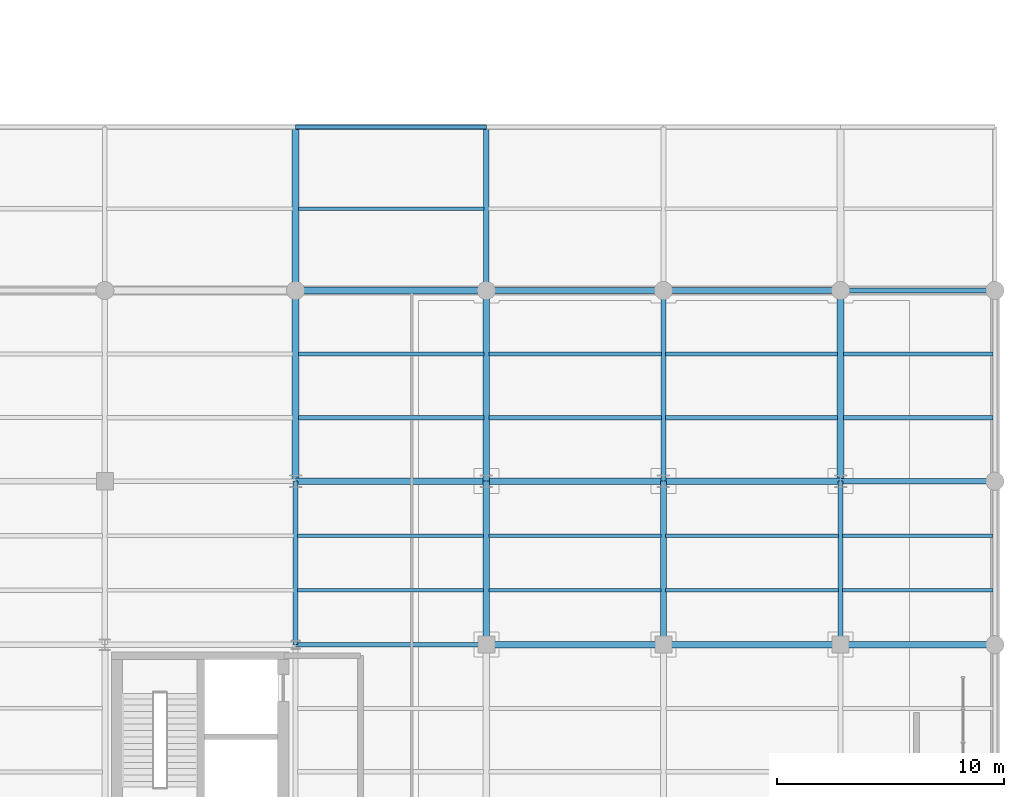
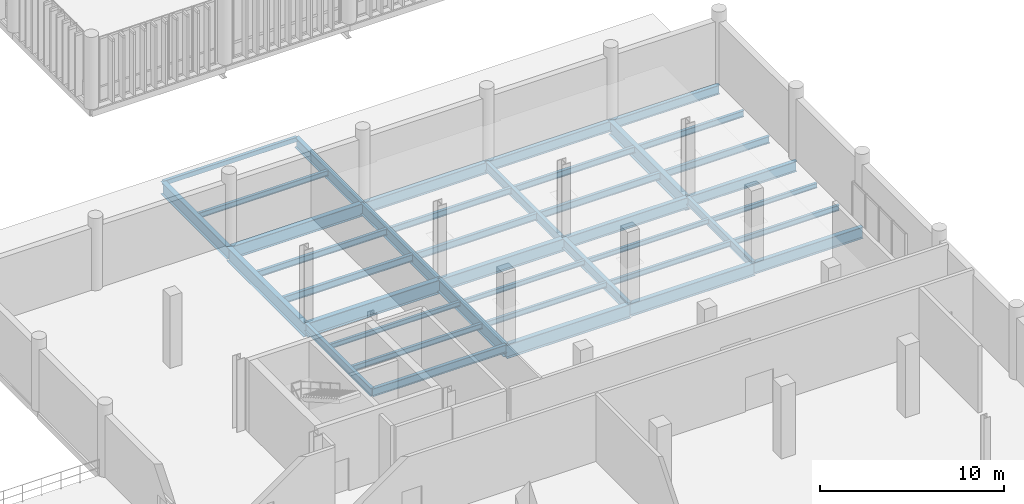
# One storey, part 62 of 109: 40 beams.
"""IFC4 building model written with IfcOpenShell, lengths in metres."""

from ifc_helpers import new_model, si_unit, direction, frame, origin_with_axes, origin_2d_with_axis, place, context, subcontext, project, spatial, hollow_rectangle, i_section, extrude, material, material_profile, profile_set, type_object, element, save


model = new_model("IFC4")

# Units and contexts
model_context = context("Model", 3, precision=1e-05, world=origin_with_axes(), true_north=direction((0.0, 1.0)))
body_context = subcontext(model_context, "Body", "Model", "MODEL_VIEW")
ifc_project = project(units=[si_unit("LENGTHUNIT", "METRE"), si_unit("AREAUNIT", "SQUARE_METRE"), si_unit("VOLUMEUNIT", "CUBIC_METRE"), si_unit("PLANEANGLEUNIT", "RADIAN"), si_unit("MASSUNIT", "GRAM", prefix="KILO"), si_unit("THERMODYNAMICTEMPERATUREUNIT", "KELVIN")], contexts=[model_context])

# Site, building, storey
site_placement = place(None, origin_with_axes())
site = spatial("IfcSite", under=ifc_project, at=site_placement, CompositionType="ELEMENT")
building_placement = place(site_placement, origin_with_axes())
building = spatial("IfcBuilding", under=site, at=building_placement, Name="Montbau Bow Law Courts", CompositionType="ELEMENT")
storey_placement = place(building_placement, frame((0.0, 0.0, 10.8), z_axis=(0.0, 0.0, 1.0), x_axis=(1.0, 0.0, 0.0)))
storey = spatial("IfcBuildingStorey", under=building, at=storey_placement, Name="L02", CompositionType="ELEMENT", Elevation=10.8)

# Beams
ifc_material_1 = material(Name="Steel CSA G40.21 Grade 350W (350 MPa)", Category="steel")
ifc_material_profile_1 = material_profile(ifc_material_1, i_section(OverallWidth=0.306, OverallDepth=0.919, WebThickness=0.0173, FlangeThickness=0.0279, at=origin_2d_with_axis()), Name="W920X253", Category="Main", Priority=0)
ifc_profile_set_1 = profile_set([ifc_material_profile_1], Name="Steel CSA G40.21 Grade 350W (350 MPa)")
beam_type_1 = type_object("IfcBeamType", Name="B-FLR-01", PredefinedType="BEAM", material=ifc_profile_set_1)
beam_1_placement = place(None, frame((147.0, 39.0, 10.12), z_axis=(1.0, 0.0, 0.0), x_axis=(0.0, 1.0, 0.0)))
element("IfcBeam", 1, at=beam_1_placement, inside=storey, type_object=beam_type_1, Name="BM-L02-S1557:bm2_1560", PredefinedType="BEAM", context=body_context, shape_type="SweptSolid", body=[
    extrude(i_section(OverallWidth=0.306, OverallDepth=0.919, WebThickness=0.0173, FlangeThickness=0.0279, at=origin_2d_with_axis()), origin_with_axes(), (0.0, 0.0, 1.0), 7.8),
])
for number, where, z_axis, x_axis, name in (
    (2, (138.6, 46.2, 10.12), (1.0, 0.0, 0.0), (0.0, 1.0, 0.0), "BM-L02-S1562:bm2_1565"),
    (3, (138.6, 46.2, 10.091), (0.0, 1.0, 0.0), (-1.0, 0.0, 0.0), "BM-L02-S1595:bm2_1598"),
    (4, (162.6, 46.2, 10.091), (0.0, 1.0, 0.0), (-1.0, 0.0, 0.0), "BM-L02-S1616:bm2_1619"),
):
    element("IfcBeam", number, at=place(None, frame(where, z_axis=z_axis, x_axis=x_axis)), inside=storey, type_object=beam_type_1, Name=name, PredefinedType="BEAM", context=body_context, shape_type="SweptSolid", body=[
        extrude(i_section(OverallWidth=0.306, OverallDepth=0.919, WebThickness=0.0173, FlangeThickness=0.0279, at=origin_2d_with_axis()), origin_with_axes(), (0.0, 0.0, 1.0), 8.4),
    ])
ifc_material_profile_2 = material_profile(ifc_material_1, i_section(OverallWidth=0.293, OverallDepth=0.846, WebThickness=0.0154, FlangeThickness=0.0244, at=origin_2d_with_axis()), Name="W840X210", Category="Main", Priority=0)
ifc_profile_set_2 = profile_set([ifc_material_profile_2], Name="Steel CSA G40.21 Grade 350W (350 MPa)")
beam_type_2 = type_object("IfcBeamType", Name="B-FLR-02", PredefinedType="BEAM", material=ifc_profile_set_2)
for number, where, z_axis, x_axis, name in (
    (5, (154.8, 39.0, 10.157), (1.0, 0.0, 0.0), (0.0, 1.0, 0.0), "BM-L02-S1558:bm2_1561"),
    (6, (147.0, 46.2, 10.157), (1.0, 0.0, 0.0), (0.0, 1.0, 0.0), "BM-L02-S1563:bm2_1566"),
):
    element("IfcBeam", number, at=place(None, frame(where, z_axis=z_axis, x_axis=x_axis)), inside=storey, type_object=beam_type_2, Name=name, PredefinedType="BEAM", context=body_context, shape_type="SweptSolid", body=[
        extrude(i_section(OverallWidth=0.293, OverallDepth=0.846, WebThickness=0.0154, FlangeThickness=0.0244, at=origin_2d_with_axis()), origin_with_axes(), (0.0, 0.0, 1.0), 7.8),
    ])
beam_2_placement = place(None, frame((138.6, 54.6, 10.127), z_axis=(1.0, 0.0, 0.0), x_axis=(0.0, 1.0, 0.0)))
element("IfcBeam", 7, at=beam_2_placement, inside=storey, type_object=beam_type_2, Name="BM-L02-S1568:bm2_1571", PredefinedType="BEAM", context=body_context, shape_type="SweptSolid", body=[
    extrude(i_section(OverallWidth=0.293, OverallDepth=0.846, WebThickness=0.0154, FlangeThickness=0.0244, at=origin_2d_with_axis()), origin_with_axes(), (0.0, 0.0, 1.0), 8.4),
])
for number, where, z_axis, x_axis, name in (
    (8, (138.6, 54.6, 10.127), (0.0, 1.0, 0.0), (-1.0, 0.0, 0.0), "BM-L02-S1596:bm2_1599"),
    (9, (147.0, 39.0, 10.157), (0.0, 1.0, 0.0), (-1.0, 0.0, 0.0), "BM-L02-S1601:bm2_1604"),
):
    element("IfcBeam", number, at=place(None, frame(where, z_axis=z_axis, x_axis=x_axis)), inside=storey, type_object=beam_type_2, Name=name, PredefinedType="BEAM", context=body_context, shape_type="SweptSolid", body=[
        extrude(i_section(OverallWidth=0.293, OverallDepth=0.846, WebThickness=0.0154, FlangeThickness=0.0244, at=origin_2d_with_axis()), origin_with_axes(), (0.0, 0.0, 1.0), 7.2),
    ])
ifc_material_profile_3 = material_profile(ifc_material_1, i_section(OverallWidth=0.267, OverallDepth=0.766, WebThickness=0.0149, FlangeThickness=0.0236, at=origin_2d_with_axis()), Name="W760X185", Category="Main", Priority=0)
ifc_profile_set_3 = profile_set([ifc_material_profile_3], Name="Steel CSA G40.21 Grade 350W (350 MPa)")
beam_type_3 = type_object("IfcBeamType", Name="B-FLR-03", PredefinedType="BEAM", material=ifc_profile_set_3)
beam_3_placement = place(None, frame((162.6, 39.0, 10.197), z_axis=(1.0, 0.0, 0.0), x_axis=(0.0, 1.0, 0.0)))
element("IfcBeam", 10, at=beam_3_placement, inside=storey, type_object=beam_type_3, Name="BM-L02-S1559:bm2_1562", PredefinedType="BEAM", context=body_context, shape_type="SweptSolid", body=[
    extrude(i_section(OverallWidth=0.267, OverallDepth=0.766, WebThickness=0.0149, FlangeThickness=0.0236, at=origin_2d_with_axis()), origin_with_axes(), (0.0, 0.0, 1.0), 6.8),
])
for number, where, z_axis, x_axis, name in (
    (11, (154.8, 46.2, 10.197), (1.0, 0.0, 0.0), (0.0, 1.0, 0.0), "BM-L02-S1564:bm2_1567"),
    (12, (147.0, 54.6, 10.167), (1.0, 0.0, 0.0), (0.0, 1.0, 0.0), "BM-L02-S1569:bm2_1572"),
):
    element("IfcBeam", number, at=place(None, frame(where, z_axis=z_axis, x_axis=x_axis)), inside=storey, type_object=beam_type_3, Name=name, PredefinedType="BEAM", context=body_context, shape_type="SweptSolid", body=[
        extrude(i_section(OverallWidth=0.267, OverallDepth=0.766, WebThickness=0.0149, FlangeThickness=0.0236, at=origin_2d_with_axis()), origin_with_axes(), (0.0, 0.0, 1.0), 7.8),
    ])
beam_4_placement = place(None, frame((147.0, 46.2, 10.167), z_axis=(0.0, 1.0, 0.0), x_axis=(-1.0, 0.0, 0.0)))
element("IfcBeam", 13, at=beam_4_placement, inside=storey, type_object=beam_type_3, Name="BM-L02-S1602:bm2_1605", PredefinedType="BEAM", context=body_context, shape_type="SweptSolid", body=[
    extrude(i_section(OverallWidth=0.267, OverallDepth=0.766, WebThickness=0.0149, FlangeThickness=0.0236, at=origin_2d_with_axis()), origin_with_axes(), (0.0, 0.0, 1.0), 8.4),
])
ifc_material_profile_4 = material_profile(ifc_material_1, i_section(OverallWidth=0.254, OverallDepth=0.688, WebThickness=0.0131, FlangeThickness=0.0211, at=origin_2d_with_axis()), Name="W690X152", Category="Main", Priority=0)
ifc_profile_set_4 = profile_set([ifc_material_profile_4], Name="Steel CSA G40.21 Grade 350W (350 MPa)")
beam_type_4 = type_object("IfcBeamType", Name="B-FLR-04", PredefinedType="BEAM", material=ifc_profile_set_4)
beam_5_placement = place(None, frame((162.6, 46.2, 10.236), z_axis=(1.0, 0.0, 0.0), x_axis=(0.0, 1.0, 0.0)))
element("IfcBeam", 14, at=beam_5_placement, inside=storey, type_object=beam_type_4, Name="BM-L02-S1565:bm2_1568", PredefinedType="BEAM", context=body_context, shape_type="SweptSolid", body=[
    extrude(i_section(OverallWidth=0.254, OverallDepth=0.688, WebThickness=0.0131, FlangeThickness=0.0211, at=origin_2d_with_axis()), origin_with_axes(), (0.0, 0.0, 1.0), 6.8),
])
beam_6_placement = place(None, frame((154.8, 54.6, 10.206), z_axis=(1.0, 0.0, 0.0), x_axis=(0.0, 1.0, 0.0)))
element("IfcBeam", 15, at=beam_6_placement, inside=storey, type_object=beam_type_4, Name="BM-L02-S1570:bm2_1573", PredefinedType="BEAM", context=body_context, shape_type="SweptSolid", body=[
    extrude(i_section(OverallWidth=0.254, OverallDepth=0.688, WebThickness=0.0131, FlangeThickness=0.0211, at=origin_2d_with_axis()), origin_with_axes(), (0.0, 0.0, 1.0), 7.8),
])
for number, where, z_axis, x_axis, name in (
    (16, (147.0, 54.6, 10.206), (0.0, 1.0, 0.0), (-1.0, 0.0, 0.0), "BM-L02-S1603:bm2_1606"),
    (17, (154.8, 39.0, 10.236), (0.0, 1.0, 0.0), (-1.0, 0.0, 0.0), "BM-L02-S1608:bm2_1611"),
):
    element("IfcBeam", number, at=place(None, frame(where, z_axis=z_axis, x_axis=x_axis)), inside=storey, type_object=beam_type_4, Name=name, PredefinedType="BEAM", context=body_context, shape_type="SweptSolid", body=[
        extrude(i_section(OverallWidth=0.254, OverallDepth=0.688, WebThickness=0.0131, FlangeThickness=0.0211, at=origin_2d_with_axis()), origin_with_axes(), (0.0, 0.0, 1.0), 7.2),
    ])
ifc_material_profile_5 = material_profile(ifc_material_1, i_section(OverallWidth=0.229, OverallDepth=0.612, WebThickness=0.0119, FlangeThickness=0.0196, at=origin_2d_with_axis()), Name="W610X125", Category="Main", Priority=0)
ifc_profile_set_5 = profile_set([ifc_material_profile_5], Name="Steel CSA G40.21 Grade 350W (350 MPa)")
beam_type_5 = type_object("IfcBeamType", Name="B-FLR-05", PredefinedType="BEAM", material=ifc_profile_set_5)
beam_7_placement = place(None, frame((162.6, 54.6, 10.244), z_axis=(1.0, 0.0, 0.0), x_axis=(0.0, 1.0, 0.0)))
element("IfcBeam", 18, at=beam_7_placement, inside=storey, type_object=beam_type_5, Name="BM-L02-S1571:bm2_1574", PredefinedType="BEAM", context=body_context, shape_type="SweptSolid", body=[
    extrude(i_section(OverallWidth=0.229, OverallDepth=0.612, WebThickness=0.0119, FlangeThickness=0.0196, at=origin_2d_with_axis()), origin_with_axes(), (0.0, 0.0, 1.0), 6.8),
])
beam_8_placement = place(None, frame((154.8, 46.2, 10.244), z_axis=(0.0, 1.0, 0.0), x_axis=(-1.0, 0.0, 0.0)))
element("IfcBeam", 19, at=beam_8_placement, inside=storey, type_object=beam_type_5, Name="BM-L02-S1609:bm2_1612", PredefinedType="BEAM", context=body_context, shape_type="SweptSolid", body=[
    extrude(i_section(OverallWidth=0.229, OverallDepth=0.612, WebThickness=0.0119, FlangeThickness=0.0196, at=origin_2d_with_axis()), origin_with_axes(), (0.0, 0.0, 1.0), 8.4),
])
ifc_material_profile_6 = material_profile(ifc_material_1, i_section(OverallWidth=0.21, OverallDepth=0.537, WebThickness=0.0109, FlangeThickness=0.0174, at=origin_2d_with_axis()), Name="W530X101", Category="Main", Priority=0)
ifc_profile_set_6 = profile_set([ifc_material_profile_6], Name="Steel CSA G40.21 Grade 350W (350 MPa)")
beam_type_6 = type_object("IfcBeamType", Name="B-FLR-06", PredefinedType="BEAM", material=ifc_profile_set_6)
beam_9_placement = place(None, frame((138.6, 39.0, 10.312), z_axis=(1.0, 0.0, 0.0), x_axis=(0.0, 1.0, 0.0)))
element("IfcBeam", 20, at=beam_9_placement, inside=storey, type_object=beam_type_6, Name="BM-L02-S1556:bm2_1559", PredefinedType="BEAM", context=body_context, shape_type="SweptSolid", body=[
    extrude(i_section(OverallWidth=0.21, OverallDepth=0.537, WebThickness=0.0109, FlangeThickness=0.0174, at=origin_2d_with_axis()), origin_with_axes(), (0.0, 0.0, 1.0), 8.4),
])
for number, where, z_axis, x_axis, name in (
    (21, (138.6, 39.0, 10.312), (0.0, 1.0, 0.0), (-1.0, 0.0, 0.0), "BM-L02-S1594:bm2_1597"),
    (22, (162.6, 39.0, 10.312), (0.0, 1.0, 0.0), (-1.0, 0.0, 0.0), "BM-L02-S1615:bm2_1618"),
):
    element("IfcBeam", number, at=place(None, frame(where, z_axis=z_axis, x_axis=x_axis)), inside=storey, type_object=beam_type_6, Name=name, PredefinedType="BEAM", context=body_context, shape_type="SweptSolid", body=[
        extrude(i_section(OverallWidth=0.21, OverallDepth=0.537, WebThickness=0.0109, FlangeThickness=0.0174, at=origin_2d_with_axis()), origin_with_axes(), (0.0, 0.0, 1.0), 7.2),
    ])
ifc_material_profile_7 = material_profile(ifc_material_1, i_section(OverallWidth=0.191, OverallDepth=0.46, WebThickness=0.0099, FlangeThickness=0.016, at=origin_2d_with_axis()), Name="W460X82", Category="Main", Priority=0)
ifc_profile_set_7 = profile_set([ifc_material_profile_7], Name="Steel CSA G40.21 Grade 350W (350 MPa)")
beam_type_7 = type_object("IfcBeamType", Name="B-JST-01", PredefinedType="JOIST", material=ifc_profile_set_7)
beam_10_placement = place(None, frame((138.729, 49.0, 10.32), z_axis=(1.0, 0.0, 0.0), x_axis=(0.0, 1.0, 0.0)))
element("IfcBeam", 23, at=beam_10_placement, inside=storey, type_object=beam_type_7, Name="JST-L02-S0908:jst2_0908", PredefinedType="JOIST", context=body_context, shape_type="SweptSolid", body=[
    extrude(i_section(OverallWidth=0.191, OverallDepth=0.46, WebThickness=0.0099, FlangeThickness=0.016, at=origin_2d_with_axis()), origin_with_axes(), (0.0, 0.0, 1.0), 8.162),
])
beam_11_placement = place(None, frame((147.109, 49.0, 10.32), z_axis=(1.0, 0.0, 0.0), x_axis=(0.0, 1.0, 0.0)))
element("IfcBeam", 24, at=beam_11_placement, inside=storey, type_object=beam_type_7, Name="JST-L02-S0920:jst2_0920", PredefinedType="JOIST", context=body_context, shape_type="SweptSolid", body=[
    extrude(i_section(OverallWidth=0.191, OverallDepth=0.46, WebThickness=0.0099, FlangeThickness=0.016, at=origin_2d_with_axis()), origin_with_axes(), (0.0, 0.0, 1.0), 7.601),
])
beam_12_placement = place(None, frame((154.891, 49.0, 10.32), z_axis=(1.0, 0.0, 0.0), x_axis=(0.0, 1.0, 0.0)))
element("IfcBeam", 25, at=beam_12_placement, inside=storey, type_object=beam_type_7, Name="JST-L02-S0932:jst2_0932", PredefinedType="JOIST", context=body_context, shape_type="SweptSolid", body=[
    extrude(i_section(OverallWidth=0.191, OverallDepth=0.46, WebThickness=0.0099, FlangeThickness=0.016, at=origin_2d_with_axis()), origin_with_axes(), (0.0, 0.0, 1.0), 7.58),
])
beam_13_placement = place(None, frame((162.729, 49.0, 10.32), z_axis=(1.0, 0.0, 0.0), x_axis=(0.0, 1.0, 0.0)))
element("IfcBeam", 26, at=beam_13_placement, inside=storey, type_object=beam_type_7, Name="JST-L02-S0944:jst2_0944", PredefinedType="JOIST", context=body_context, shape_type="SweptSolid", body=[
    extrude(i_section(OverallWidth=0.191, OverallDepth=0.46, WebThickness=0.0099, FlangeThickness=0.016, at=origin_2d_with_axis()), origin_with_axes(), (0.0, 0.0, 1.0), 6.591),
])
ifc_material_profile_8 = material_profile(ifc_material_1, i_section(OverallWidth=0.179, OverallDepth=0.41, WebThickness=0.0088, FlangeThickness=0.0144, at=origin_2d_with_axis()), Name="W410X67", Category="Main", Priority=0)
ifc_profile_set_8 = profile_set([ifc_material_profile_8], Name="Steel CSA G40.21 Grade 350W (350 MPa)")
beam_type_8 = type_object("IfcBeamType", Name="B-JST-02", PredefinedType="JOIST", material=ifc_profile_set_8)
beam_14_placement = place(None, frame((138.729, 51.8, 10.345), z_axis=(1.0, 0.0, 0.0), x_axis=(0.0, 1.0, 0.0)))
element("IfcBeam", 27, at=beam_14_placement, inside=storey, type_object=beam_type_8, Name="JST-L02-S0909:jst2_0909", PredefinedType="JOIST", context=body_context, shape_type="SweptSolid", body=[
    extrude(i_section(OverallWidth=0.179, OverallDepth=0.41, WebThickness=0.0088, FlangeThickness=0.0144, at=origin_2d_with_axis()), origin_with_axes(), (0.0, 0.0, 1.0), 8.162),
])
beam_15_placement = place(None, frame((147.109, 51.8, 10.345), z_axis=(1.0, 0.0, 0.0), x_axis=(0.0, 1.0, 0.0)))
element("IfcBeam", 28, at=beam_15_placement, inside=storey, type_object=beam_type_8, Name="JST-L02-S0921:jst2_0921", PredefinedType="JOIST", context=body_context, shape_type="SweptSolid", body=[
    extrude(i_section(OverallWidth=0.179, OverallDepth=0.41, WebThickness=0.0088, FlangeThickness=0.0144, at=origin_2d_with_axis()), origin_with_axes(), (0.0, 0.0, 1.0), 7.601),
])
beam_16_placement = place(None, frame((154.891, 51.8, 10.345), z_axis=(1.0, 0.0, 0.0), x_axis=(0.0, 1.0, 0.0)))
element("IfcBeam", 29, at=beam_16_placement, inside=storey, type_object=beam_type_8, Name="JST-L02-S0933:jst2_0933", PredefinedType="JOIST", context=body_context, shape_type="SweptSolid", body=[
    extrude(i_section(OverallWidth=0.179, OverallDepth=0.41, WebThickness=0.0088, FlangeThickness=0.0144, at=origin_2d_with_axis()), origin_with_axes(), (0.0, 0.0, 1.0), 7.58),
])
beam_17_placement = place(None, frame((162.729, 51.8, 10.345), z_axis=(1.0, 0.0, 0.0), x_axis=(0.0, 1.0, 0.0)))
element("IfcBeam", 30, at=beam_17_placement, inside=storey, type_object=beam_type_8, Name="JST-L02-S0945:jst2_0945", PredefinedType="JOIST", context=body_context, shape_type="SweptSolid", body=[
    extrude(i_section(OverallWidth=0.179, OverallDepth=0.41, WebThickness=0.0088, FlangeThickness=0.0144, at=origin_2d_with_axis()), origin_with_axes(), (0.0, 0.0, 1.0), 6.591),
])
ifc_material_profile_9 = material_profile(ifc_material_1, i_section(OverallWidth=0.172, OverallDepth=0.358, WebThickness=0.0079, FlangeThickness=0.0131, at=origin_2d_with_axis()), Name="W360X57", Category="Main", Priority=0)
ifc_profile_set_9 = profile_set([ifc_material_profile_9], Name="Steel CSA G40.21 Grade 350W (350 MPa)")
beam_type_9 = type_object("IfcBeamType", Name="B-JST-03", PredefinedType="JOIST", material=ifc_profile_set_9)
beam_18_placement = place(None, frame((138.681, 41.4, 10.401), z_axis=(1.0, 0.0, 0.0), x_axis=(0.0, 1.0, 0.0)))
element("IfcBeam", 31, at=beam_18_placement, inside=storey, type_object=beam_type_9, Name="JST-L02-S0906:jst2_0906", PredefinedType="JOIST", context=body_context, shape_type="SweptSolid", body=[
    extrude(i_section(OverallWidth=0.172, OverallDepth=0.358, WebThickness=0.0079, FlangeThickness=0.0131, at=origin_2d_with_axis()), origin_with_axes(), (0.0, 0.0, 1.0), 8.196),
])
beam_19_placement = place(None, frame((138.722, 58.2, 10.371), z_axis=(1.0, 0.0, 0.0), x_axis=(0.0, 1.0, 0.0)))
element("IfcBeam", 32, at=beam_19_placement, inside=storey, type_object=beam_type_9, Name="JST-L02-S0910:jst2_0910", PredefinedType="JOIST", context=body_context, shape_type="SweptSolid", body=[
    extrude(i_section(OverallWidth=0.172, OverallDepth=0.358, WebThickness=0.0079, FlangeThickness=0.0131, at=origin_2d_with_axis()), origin_with_axes(), (0.0, 0.0, 1.0), 8.175),
])
beam_20_placement = place(None, frame((147.123, 41.4, 10.401), z_axis=(1.0, 0.0, 0.0), x_axis=(0.0, 1.0, 0.0)))
element("IfcBeam", 33, at=beam_20_placement, inside=storey, type_object=beam_type_9, Name="JST-L02-S0918:jst2_0918", PredefinedType="JOIST", context=body_context, shape_type="SweptSolid", body=[
    extrude(i_section(OverallWidth=0.172, OverallDepth=0.358, WebThickness=0.0079, FlangeThickness=0.0131, at=origin_2d_with_axis()), origin_with_axes(), (0.0, 0.0, 1.0), 7.574),
])
beam_21_placement = place(None, frame((154.903, 41.4, 10.401), z_axis=(1.0, 0.0, 0.0), x_axis=(0.0, 1.0, 0.0)))
element("IfcBeam", 34, at=beam_21_placement, inside=storey, type_object=beam_type_9, Name="JST-L02-S0930:jst2_0930", PredefinedType="JOIST", context=body_context, shape_type="SweptSolid", body=[
    extrude(i_section(OverallWidth=0.172, OverallDepth=0.358, WebThickness=0.0079, FlangeThickness=0.0131, at=origin_2d_with_axis()), origin_with_axes(), (0.0, 0.0, 1.0), 7.616),
])
beam_22_placement = place(None, frame((162.681, 41.4, 10.401), z_axis=(1.0, 0.0, 0.0), x_axis=(0.0, 1.0, 0.0)))
element("IfcBeam", 35, at=beam_22_placement, inside=storey, type_object=beam_type_9, Name="JST-L02-S0942:jst2_0942", PredefinedType="JOIST", context=body_context, shape_type="SweptSolid", body=[
    extrude(i_section(OverallWidth=0.172, OverallDepth=0.358, WebThickness=0.0079, FlangeThickness=0.0131, at=origin_2d_with_axis()), origin_with_axes(), (0.0, 0.0, 1.0), 6.639),
])
ifc_material_profile_10 = material_profile(ifc_material_1, i_section(OverallWidth=0.166, OverallDepth=0.313, WebThickness=0.0066, FlangeThickness=0.0112, at=origin_2d_with_axis()), Name="W310X45", Category="Main", Priority=0)
ifc_profile_set_10 = profile_set([ifc_material_profile_10], Name="Steel CSA G40.21 Grade 350W (350 MPa)")
beam_type_10 = type_object("IfcBeamType", Name="B-JST-04", PredefinedType="JOIST", material=ifc_profile_set_10)
beam_23_placement = place(None, frame((138.681, 43.8, 10.424), z_axis=(1.0, 0.0, 0.0), x_axis=(0.0, 1.0, 0.0)))
element("IfcBeam", 36, at=beam_23_placement, inside=storey, type_object=beam_type_10, Name="JST-L02-S0907:jst2_0907", PredefinedType="JOIST", context=body_context, shape_type="SweptSolid", body=[
    extrude(i_section(OverallWidth=0.166, OverallDepth=0.313, WebThickness=0.0066, FlangeThickness=0.0112, at=origin_2d_with_axis()), origin_with_axes(), (0.0, 0.0, 1.0), 8.196),
])
beam_24_placement = place(None, frame((147.123, 43.8, 10.424), z_axis=(1.0, 0.0, 0.0), x_axis=(0.0, 1.0, 0.0)))
element("IfcBeam", 37, at=beam_24_placement, inside=storey, type_object=beam_type_10, Name="JST-L02-S0919:jst2_0919", PredefinedType="JOIST", context=body_context, shape_type="SweptSolid", body=[
    extrude(i_section(OverallWidth=0.166, OverallDepth=0.313, WebThickness=0.0066, FlangeThickness=0.0112, at=origin_2d_with_axis()), origin_with_axes(), (0.0, 0.0, 1.0), 7.574),
])
beam_25_placement = place(None, frame((154.903, 43.8, 10.424), z_axis=(1.0, 0.0, 0.0), x_axis=(0.0, 1.0, 0.0)))
element("IfcBeam", 38, at=beam_25_placement, inside=storey, type_object=beam_type_10, Name="JST-L02-S0931:jst2_0931", PredefinedType="JOIST", context=body_context, shape_type="SweptSolid", body=[
    extrude(i_section(OverallWidth=0.166, OverallDepth=0.313, WebThickness=0.0066, FlangeThickness=0.0112, at=origin_2d_with_axis()), origin_with_axes(), (0.0, 0.0, 1.0), 7.616),
])
beam_26_placement = place(None, frame((162.681, 43.8, 10.424), z_axis=(1.0, 0.0, 0.0), x_axis=(0.0, 1.0, 0.0)))
element("IfcBeam", 39, at=beam_26_placement, inside=storey, type_object=beam_type_10, Name="JST-L02-S0943:jst2_0943", PredefinedType="JOIST", context=body_context, shape_type="SweptSolid", body=[
    extrude(i_section(OverallWidth=0.166, OverallDepth=0.313, WebThickness=0.0066, FlangeThickness=0.0112, at=origin_2d_with_axis()), origin_with_axes(), (0.0, 0.0, 1.0), 6.639),
])
ifc_material_2 = material(Name="Steel CSA G40.21 Grade 350WT (350 MPa)", Category="steel")
ifc_material_profile_11 = material_profile(ifc_material_2, hollow_rectangle(XDim=0.203, YDim=0.305, WallThickness=0.0127, InnerFilletRadius=0.0254, OuterFilletRadius=0.0127, at=origin_2d_with_axis()), Name="HSS305X203X13", Category="Main", Priority=0)
ifc_profile_set_11 = profile_set([ifc_material_profile_11], Name="Steel CSA G40.21 Grade 350WT (350 MPa)")
beam_type_11 = type_object("IfcBeamType", Name="B-SPN-02", PredefinedType="SPANDREL", material=ifc_profile_set_11)
beam_27_placement = place(None, frame((138.6, 61.8, 10.398), z_axis=(1.0, 0.0, 0.0), x_axis=(0.0, 1.0, 0.0)))
element("IfcBeam", 40, at=beam_27_placement, inside=storey, type_object=beam_type_11, Name="SPN-L02-S1574:bm2_1577", PredefinedType="SPANDREL", context=body_context, shape_type="SweptSolid", body=[
    extrude(hollow_rectangle(XDim=0.203, YDim=0.305, WallThickness=0.0127, InnerFilletRadius=0.0254, OuterFilletRadius=0.0127, at=origin_2d_with_axis()), origin_with_axes(), (0.0, 0.0, 1.0), 8.4),
])

save(model, "model.ifc")
